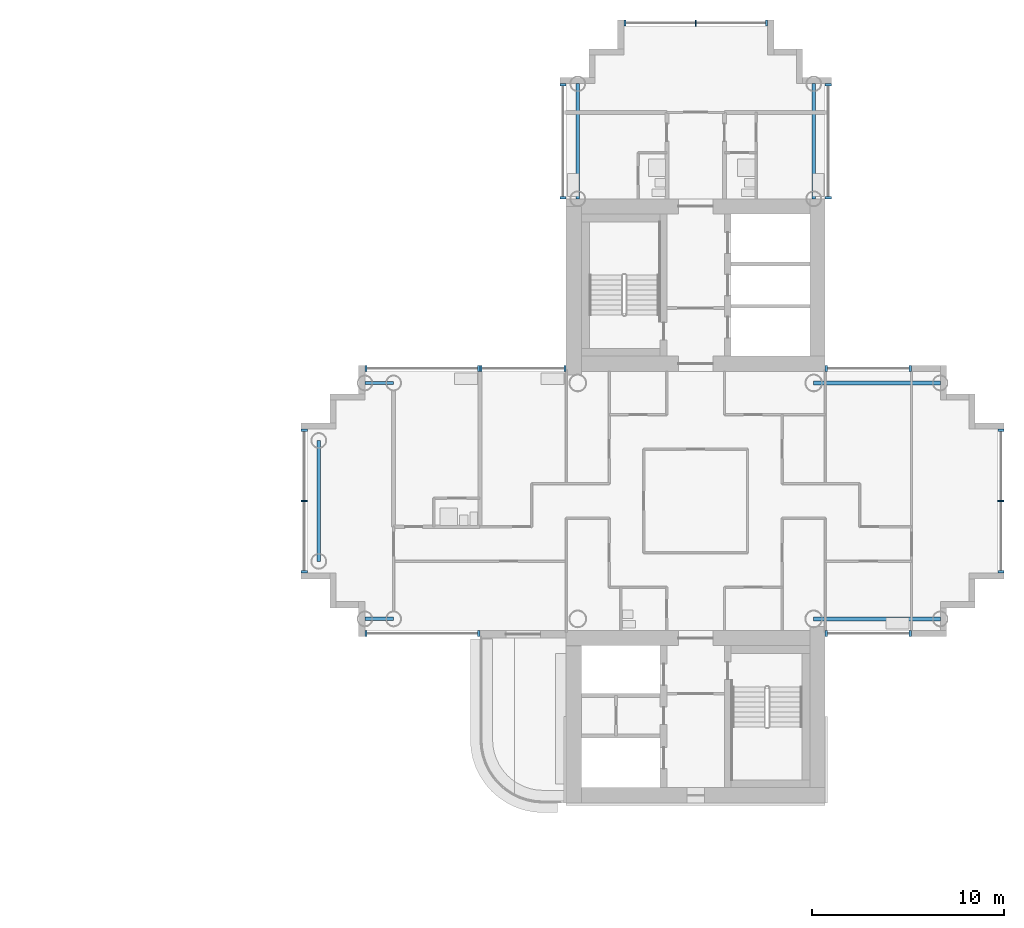
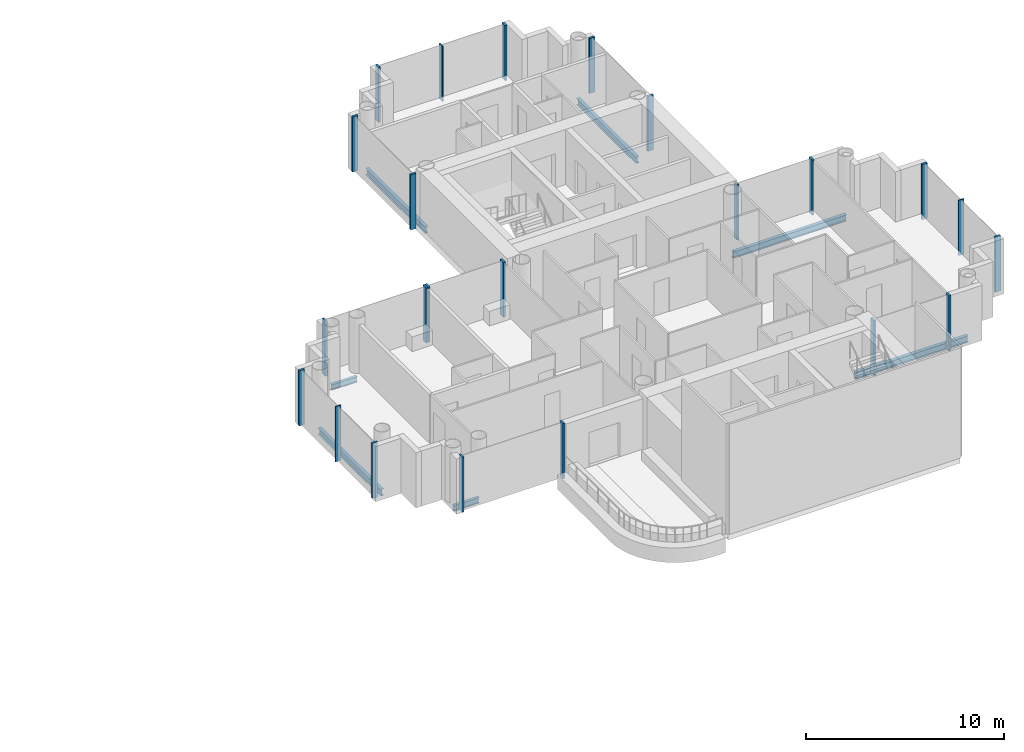
# One storey, part 4 of 19: 23 members, 7 beams, 10 elements without a shape of their own.
"""IFC4 building model written with IfcOpenShell, lengths in metres."""

from ifc_helpers import new_model, si_unit, direction, frame, origin, origin_2d, place, context, subcontext, project, spatial, rectangle, i_section, extrude, material, layer, layer_set, material_profile, profile_set, type_object, element, aggregate, save


model = new_model("IFC4")

# Units and contexts
model_context = context("Model", 3, precision=1e-05, world=origin(), true_north=direction((0.0, 1.0)))
body_context = subcontext(model_context, "Body", "Model", "MODEL_VIEW")
ifc_project = project(units=[si_unit("LENGTHUNIT", "METRE"), si_unit("AREAUNIT", "SQUARE_METRE"), si_unit("VOLUMEUNIT", "CUBIC_METRE"), si_unit("PLANEANGLEUNIT", "RADIAN"), si_unit("MASSUNIT", "GRAM", prefix="KILO")], contexts=[model_context])

# Site, building, storey
site_placement = place(None, origin())
site = spatial("IfcSite", under=ifc_project, at=site_placement, CompositionType="ELEMENT")
building_placement = place(site_placement, origin())
building = spatial("IfcBuilding", under=site, at=building_placement, Name="Ipe Terrace Towers", CompositionType="ELEMENT")
storey_placement = place(building_placement, frame((0.0, 0.0, 174.5)))
storey = spatial("IfcBuildingStorey", under=building, at=storey_placement, Name="L48", CompositionType="ELEMENT", Elevation=174.5)

# Beams
ifc_material_1 = material(Name="Steel S355", Category="steel")
ifc_material_profile_1 = material_profile(ifc_material_1, i_section(OverallWidth=0.175048828125, OverallDepth=0.35009765625, WebThickness=0.007080078125, FlangeThickness=0.010986328125, at=origin_2d()), Name="H-350x175x7x11")
ifc_profile_set_1 = profile_set([ifc_material_profile_1], Name="Steel S355")
beam_type_1 = type_object("IfcBeamType", Name="H04 EDGE BEAM H-350x175x7x11", PredefinedType="BEAM", material=ifc_profile_set_1)
for number, where, z_axis, x_axis, name in (
    (1, (20.25, 6.14990234375, -0.574951171875), (-1.0, 0.0, 0.0), (0.0, -1.0, 0.0), "Edge beam T2-EB-B03-B05"),
    (2, (20.25, -6.14990234375, -0.574951171875), (-1.0, 0.0, 0.0), (0.0, -1.0, 0.0), "Edge beam T2-EB-B04-B06"),
):
    element("IfcBeam", number, at=place(storey_placement, frame(where, z_axis=z_axis, x_axis=x_axis)), inside=storey, type_object=beam_type_1, Name=name, PredefinedType="BEAM", context=body_context, shape_type="SweptSolid", body=[
        extrude(i_section(OverallWidth=0.175048828125, OverallDepth=0.35009765625, WebThickness=0.007080078125, FlangeThickness=0.010986328125, at=origin_2d()), origin(), (0.0, 0.0, 1.0), 1.5),
    ])
ifc_material_2 = material(Name="Steel S355", Category="steel")
ifc_material_profile_2 = material_profile(ifc_material_2, i_section(OverallWidth=0.199951171875, OverallDepth=0.39990234375, WebThickness=0.008056640625, FlangeThickness=0.012939453125, at=origin_2d()), Name="H-400x200x8x13")
ifc_profile_set_2 = profile_set([ifc_material_profile_2], Name="Steel S355")
beam_type_2 = type_object("IfcBeamType", Name="H06 EDGE BEAM H-400x200x8x13", PredefinedType="BEAM", material=ifc_profile_set_2)
for number, where, z_axis, x_axis, name in (
    (3, (42.14990234375, 15.75, -0.60009765625), (0.0, 1.0, 0.0), (-1.0, 0.0, 0.0), "Edge beam T2-EB-A01-A03"),
    (4, (29.85009765625, 15.75, -0.60009765625), (0.0, 1.0, 0.0), (-1.0, 0.0, 0.0), "Edge beam T2-EB-A02-A04"),
):
    element("IfcBeam", number, at=place(storey_placement, frame(where, z_axis=z_axis, x_axis=x_axis)), inside=storey, type_object=beam_type_2, Name=name, PredefinedType="BEAM", context=body_context, shape_type="SweptSolid", body=[
        extrude(i_section(OverallWidth=0.199951171875, OverallDepth=0.39990234375, WebThickness=0.008056640625, FlangeThickness=0.012939453125, at=origin_2d()), origin(), (0.0, 0.0, 1.0), 6.0),
    ])
beam_placement = place(storey_placement, frame((16.35009765625, 3.14990234375, -0.60009765625), z_axis=(0.0, -1.0, 0.0), x_axis=(1.0, 0.0, 0.0)))
element("IfcBeam", 5, at=beam_placement, inside=storey, type_object=beam_type_2, Name="Edge beam T2-EB-B07-B08", PredefinedType="BEAM", context=body_context, shape_type="SweptSolid", body=[
    extrude(i_section(OverallWidth=0.199951171875, OverallDepth=0.39990234375, WebThickness=0.008056640625, FlangeThickness=0.012939453125, at=origin_2d()), origin(), (0.0, 0.0, 1.0), 6.2998046875),
])
for number, where, z_axis, x_axis, name in (
    (6, (48.75, -6.14990234375, -0.60009765625), (-1.0, 0.0, 0.0), (0.0, -1.0, 0.0), "Edge beam T2-EB-D01-E01"),
    (7, (48.75, 6.14990234375, -0.60009765625), (-1.0, 0.0, 0.0), (0.0, -1.0, 0.0), "Edge beam T2-EB-D02-E02"),
):
    element("IfcBeam", number, at=place(storey_placement, frame(where, z_axis=z_axis, x_axis=x_axis)), inside=storey, type_object=beam_type_2, Name=name, PredefinedType="BEAM", context=body_context, shape_type="SweptSolid", body=[
        extrude(i_section(OverallWidth=0.199951171875, OverallDepth=0.39990234375, WebThickness=0.008056640625, FlangeThickness=0.012939453125, at=origin_2d()), origin(), (0.0, 0.0, 1.0), 6.60009765625),
    ])

# Curtain wall, members
ifc_material_3 = material(Name="Aluminium alloy 6063-T6", Category="aluminium")
ifc_layer = layer(ifc_material_3, 0.320068359375)
ifc_layer_set = layer_set([ifc_layer], Name="TOWER UNITISED CURTAIN WALL")
curtain_wall_type = type_object("IfcCurtainWallType", Name="TOWER UNITISED CURTAIN WALL", PredefinedType="NOTDEFINED", material=ifc_layer_set)
curtain_wall_1_placement = place(storey_placement, origin())
curtain_wall_1 = element("IfcCurtainWall", 8, at=curtain_wall_1_placement, inside=storey, type_object=curtain_wall_type, Name="T2-CW-L48-02a curtain wall", PredefinedType="NOTDEFINED")
ifc_material_4 = material(Name="Aluminium alloy 6063-T6", Category="aluminium")
ifc_material_profile_3 = material_profile(ifc_material_4, rectangle(XDim=0.320068359375, YDim=0.1201171875, at=origin_2d()), Name="TOWER UNITISED CORNER MULLION 320 x 120")
ifc_profile_set_3 = profile_set([ifc_material_profile_3], Name="Aluminium alloy 6063-T6")
member_type_1 = type_object("IfcMemberType", Name="TOWER UNITISED CORNER MULLION 320 x 120", PredefinedType="MULLION", material=ifc_profile_set_3)
member_1_placement = place(storey_placement, frame((42.81005859375, -6.909912109375, -0.300048828125), z_axis=(0.0, 0.0, 1.0), x_axis=(0.0, -1.0, 0.0)))
member_1 = element("IfcMember", 9, at=member_1_placement, type_object=member_type_1, Name="T2-CW-L48-02a mullion 1", PredefinedType="MULLION", context=body_context, shape_type="SweptSolid", body=[
    extrude(rectangle(XDim=0.320068359375, YDim=0.1201171875, at=origin_2d()), origin(), (0.0, 0.0, 1.0), 3.400146484375),
])
member_2_placement = place(storey_placement, frame((47.18994140625, -6.909912109375, -0.300048828125), z_axis=(0.0, 0.0, 1.0), x_axis=(0.0, -1.0, 0.0)))
member_2 = element("IfcMember", 10, at=member_2_placement, type_object=member_type_1, Name="T2-CW-L48-02a mullion 2", PredefinedType="MULLION", context=body_context, shape_type="SweptSolid", body=[
    extrude(rectangle(XDim=0.320068359375, YDim=0.1201171875, at=origin_2d()), origin(), (0.0, 0.0, 1.0), 3.400146484375),
])
aggregate(curtain_wall_1, [member_1, member_2])

curtain_wall_2_placement = place(storey_placement, origin())
curtain_wall_2 = element("IfcCurtainWall", 11, at=curtain_wall_2_placement, inside=storey, type_object=curtain_wall_type, Name="T2-CW-L48-08a curtain wall", PredefinedType="NOTDEFINED")
member_3_placement = place(storey_placement, frame((51.909912109375, -3.68994140625, -0.300048828125), z_axis=(0.0, 0.0, 1.0), x_axis=(1.0, 0.0, 0.0)))
member_3 = element("IfcMember", 12, at=member_3_placement, type_object=member_type_1, Name="T2-CW-L48-08a mullion 1", PredefinedType="MULLION", context=body_context, shape_type="SweptSolid", body=[
    extrude(rectangle(XDim=0.320068359375, YDim=0.1201171875, at=origin_2d()), origin(), (0.0, 0.0, 1.0), 3.400146484375),
])
member_4_placement = place(storey_placement, frame((51.909912109375, 3.68994140625, -0.300048828125), z_axis=(0.0, 0.0, 1.0), x_axis=(1.0, 0.0, 0.0)))
member_4 = element("IfcMember", 13, at=member_4_placement, type_object=member_type_1, Name="T2-CW-L48-08a mullion 3", PredefinedType="MULLION", context=body_context, shape_type="SweptSolid", body=[
    extrude(rectangle(XDim=0.320068359375, YDim=0.1201171875, at=origin_2d()), origin(), (0.0, 0.0, 1.0), 3.400146484375),
])

curtain_wall_3_placement = place(storey_placement, origin())
curtain_wall_3 = element("IfcCurtainWall", 14, at=curtain_wall_3_placement, inside=storey, type_object=curtain_wall_type, Name="T2-CW-L48-14a curtain wall", PredefinedType="NOTDEFINED")
member_5_placement = place(storey_placement, frame((47.18994140625, 6.909912109375, -0.300048828125), z_axis=(0.0, 0.0, 1.0), x_axis=(0.0, 1.0, 0.0)))
member_5 = element("IfcMember", 15, at=member_5_placement, type_object=member_type_1, Name="T2-CW-L48-14a mullion 1", PredefinedType="MULLION", context=body_context, shape_type="SweptSolid", body=[
    extrude(rectangle(XDim=0.320068359375, YDim=0.1201171875, at=origin_2d()), origin(), (0.0, 0.0, 1.0), 3.400146484375),
])
member_6_placement = place(storey_placement, frame((42.81005859375, 6.909912109375, -0.300048828125), z_axis=(0.0, 0.0, 1.0), x_axis=(0.0, 1.0, 0.0)))
member_6 = element("IfcMember", 16, at=member_6_placement, type_object=member_type_1, Name="T2-CW-L48-14a mullion 2", PredefinedType="MULLION", context=body_context, shape_type="SweptSolid", body=[
    extrude(rectangle(XDim=0.320068359375, YDim=0.1201171875, at=origin_2d()), origin(), (0.0, 0.0, 1.0), 3.400146484375),
])
aggregate(curtain_wall_3, [member_5, member_6])

curtain_wall_4_placement = place(storey_placement, origin())
curtain_wall_4 = element("IfcCurtainWall", 17, at=curtain_wall_4_placement, inside=storey, type_object=curtain_wall_type, Name="T2-CW-L48-16b curtain wall", PredefinedType="NOTDEFINED")
member_7_placement = place(storey_placement, frame((42.909912109375, 15.81103515625, -0.300048828125), z_axis=(0.0, 0.0, 1.0), x_axis=(1.0, 0.0, 0.0)))
member_7 = element("IfcMember", 18, at=member_7_placement, type_object=member_type_1, Name="T2-CW-L48-16b mullion 1", PredefinedType="MULLION", context=body_context, shape_type="SweptSolid", body=[
    extrude(rectangle(XDim=0.320068359375, YDim=0.1201171875, at=origin_2d()), origin(), (0.0, 0.0, 1.0), 3.400146484375),
])
member_8_placement = place(storey_placement, frame((42.909912109375, 21.68994140625, -0.300048828125), z_axis=(0.0, 0.0, 1.0), x_axis=(1.0, 0.0, 0.0)))
member_8 = element("IfcMember", 19, at=member_8_placement, type_object=member_type_1, Name="T2-CW-L48-16b mullion 2", PredefinedType="MULLION", context=body_context, shape_type="SweptSolid", body=[
    extrude(rectangle(XDim=0.320068359375, YDim=0.1201171875, at=origin_2d()), origin(), (0.0, 0.0, 1.0), 3.400146484375),
])
aggregate(curtain_wall_4, [member_7, member_8])

curtain_wall_5_placement = place(storey_placement, origin())
curtain_wall_5 = element("IfcCurtainWall", 20, at=curtain_wall_5_placement, inside=storey, type_object=curtain_wall_type, Name="T2-CW-L48-21a curtain wall", PredefinedType="NOTDEFINED")
member_9_placement = place(storey_placement, frame((39.68994140625, 24.909912109375, -0.300048828125), z_axis=(0.0, 0.0, 1.0), x_axis=(0.0, 1.0, 0.0)))
member_9 = element("IfcMember", 21, at=member_9_placement, type_object=member_type_1, Name="T2-CW-L48-21a mullion 1", PredefinedType="MULLION", context=body_context, shape_type="SweptSolid", body=[
    extrude(rectangle(XDim=0.320068359375, YDim=0.1201171875, at=origin_2d()), origin(), (0.0, 0.0, 1.0), 3.400146484375),
])
member_10_placement = place(storey_placement, frame((32.31005859375, 24.909912109375, -0.300048828125), z_axis=(0.0, 0.0, 1.0), x_axis=(0.0, 1.0, 0.0)))
member_10 = element("IfcMember", 22, at=member_10_placement, type_object=member_type_1, Name="T2-CW-L48-21a mullion 3", PredefinedType="MULLION", context=body_context, shape_type="SweptSolid", body=[
    extrude(rectangle(XDim=0.320068359375, YDim=0.1201171875, at=origin_2d()), origin(), (0.0, 0.0, 1.0), 3.400146484375),
])

curtain_wall_6_placement = place(storey_placement, origin())
curtain_wall_6 = element("IfcCurtainWall", 23, at=curtain_wall_6_placement, inside=storey, type_object=curtain_wall_type, Name="T2-CW-L48-26a curtain wall", PredefinedType="NOTDEFINED")
member_11_placement = place(storey_placement, frame((29.090087890625, 21.68994140625, -0.300048828125), z_axis=(0.0, 0.0, 1.0), x_axis=(-1.0, 0.0, 0.0)))
member_11 = element("IfcMember", 24, at=member_11_placement, type_object=member_type_1, Name="T2-CW-L48-26a mullion 1", PredefinedType="MULLION", context=body_context, shape_type="SweptSolid", body=[
    extrude(rectangle(XDim=0.320068359375, YDim=0.1201171875, at=origin_2d()), origin(), (0.0, 0.0, 1.0), 3.400146484375),
])
member_12_placement = place(storey_placement, frame((29.090087890625, 15.81103515625, -0.300048828125), z_axis=(0.0, 0.0, 1.0), x_axis=(-1.0, 0.0, 0.0)))
member_12 = element("IfcMember", 25, at=member_12_placement, type_object=member_type_1, Name="T2-CW-L48-26a mullion 2", PredefinedType="MULLION", context=body_context, shape_type="SweptSolid", body=[
    extrude(rectangle(XDim=0.320068359375, YDim=0.1201171875, at=origin_2d()), origin(), (0.0, 0.0, 1.0), 3.400146484375),
])
aggregate(curtain_wall_6, [member_11, member_12])

curtain_wall_7_placement = place(storey_placement, origin())
curtain_wall_7 = element("IfcCurtainWall", 26, at=curtain_wall_7_placement, inside=storey, type_object=curtain_wall_type, Name="T2-CW-L48-28a curtain wall", PredefinedType="NOTDEFINED")
member_13_placement = place(storey_placement, frame((29.18994140625, 6.909912109375, -0.300048828125), z_axis=(0.0, 0.0, 1.0), x_axis=(0.0, 1.0, 0.0)))
member_13 = element("IfcMember", 27, at=member_13_placement, type_object=member_type_1, Name="T2-CW-L48-28a mullion 1", PredefinedType="MULLION", context=body_context, shape_type="SweptSolid", body=[
    extrude(rectangle(XDim=0.320068359375, YDim=0.1201171875, at=origin_2d()), origin(), (0.0, 0.0, 1.0), 3.400146484375),
])
member_14_placement = place(storey_placement, frame((24.81005859375, 6.909912109375, -0.300048828125), z_axis=(0.0, 0.0, 1.0), x_axis=(0.0, 1.0, 0.0)))
member_14 = element("IfcMember", 28, at=member_14_placement, type_object=member_type_1, Name="T2-CW-L48-28a mullion 2", PredefinedType="MULLION", context=body_context, shape_type="SweptSolid", body=[
    extrude(rectangle(XDim=0.320068359375, YDim=0.1201171875, at=origin_2d()), origin(), (0.0, 0.0, 1.0), 3.400146484375),
])
aggregate(curtain_wall_7, [member_13, member_14])

curtain_wall_8_placement = place(storey_placement, origin())
curtain_wall_8 = element("IfcCurtainWall", 29, at=curtain_wall_8_placement, inside=storey, type_object=curtain_wall_type, Name="T2-CW-L48-29a curtain wall", PredefinedType="NOTDEFINED")
member_15_placement = place(storey_placement, frame((24.68994140625, 6.909912109375, -0.300048828125), z_axis=(0.0, 0.0, 1.0), x_axis=(0.0, 1.0, 0.0)))
member_15 = element("IfcMember", 30, at=member_15_placement, type_object=member_type_1, Name="T2-CW-L48-29a mullion 1", PredefinedType="MULLION", context=body_context, shape_type="SweptSolid", body=[
    extrude(rectangle(XDim=0.320068359375, YDim=0.1201171875, at=origin_2d()), origin(), (0.0, 0.0, 1.0), 3.400146484375),
])
member_16_placement = place(storey_placement, frame((18.81005859375, 6.909912109375, -0.300048828125), z_axis=(0.0, 0.0, 1.0), x_axis=(0.0, 1.0, 0.0)))
member_16 = element("IfcMember", 31, at=member_16_placement, type_object=member_type_1, Name="T2-CW-L48-29a mullion 2", PredefinedType="MULLION", context=body_context, shape_type="SweptSolid", body=[
    extrude(rectangle(XDim=0.320068359375, YDim=0.1201171875, at=origin_2d()), origin(), (0.0, 0.0, 1.0), 3.400146484375),
])
aggregate(curtain_wall_8, [member_15, member_16])

curtain_wall_9_placement = place(storey_placement, origin())
curtain_wall_9 = element("IfcCurtainWall", 32, at=curtain_wall_9_placement, inside=storey, type_object=curtain_wall_type, Name="T2-CW-L48-34a curtain wall", PredefinedType="NOTDEFINED")
member_17_placement = place(storey_placement, frame((15.590087890625, 3.68994140625, -0.300048828125), z_axis=(0.0, 0.0, 1.0), x_axis=(-1.0, 0.0, 0.0)))
member_17 = element("IfcMember", 33, at=member_17_placement, type_object=member_type_1, Name="T2-CW-L48-34a mullion 1", PredefinedType="MULLION", context=body_context, shape_type="SweptSolid", body=[
    extrude(rectangle(XDim=0.320068359375, YDim=0.1201171875, at=origin_2d()), origin(), (0.0, 0.0, 1.0), 3.400146484375),
])
member_18_placement = place(storey_placement, frame((15.590087890625, -3.68994140625, -0.300048828125), z_axis=(0.0, 0.0, 1.0), x_axis=(-1.0, 0.0, 0.0)))
member_18 = element("IfcMember", 34, at=member_18_placement, type_object=member_type_1, Name="T2-CW-L48-34a mullion 3", PredefinedType="MULLION", context=body_context, shape_type="SweptSolid", body=[
    extrude(rectangle(XDim=0.320068359375, YDim=0.1201171875, at=origin_2d()), origin(), (0.0, 0.0, 1.0), 3.400146484375),
])

curtain_wall_10_placement = place(storey_placement, origin())
curtain_wall_10 = element("IfcCurtainWall", 35, at=curtain_wall_10_placement, inside=storey, type_object=curtain_wall_type, Name="T2-CW-L48-39a curtain wall", PredefinedType="NOTDEFINED")
member_19_placement = place(storey_placement, frame((18.81005859375, -6.909912109375, -0.300048828125), z_axis=(0.0, 0.0, 1.0), x_axis=(0.0, -1.0, 0.0)))
member_19 = element("IfcMember", 36, at=member_19_placement, type_object=member_type_1, Name="T2-CW-L48-39a mullion 1", PredefinedType="MULLION", context=body_context, shape_type="SweptSolid", body=[
    extrude(rectangle(XDim=0.320068359375, YDim=0.1201171875, at=origin_2d()), origin(), (0.0, 0.0, 1.0), 3.400146484375),
])
member_20_placement = place(storey_placement, frame((24.68994140625, -6.909912109375, -0.300048828125), z_axis=(0.0, 0.0, 1.0), x_axis=(0.0, -1.0, 0.0)))
member_20 = element("IfcMember", 37, at=member_20_placement, type_object=member_type_1, Name="T2-CW-L48-39a mullion 2", PredefinedType="MULLION", context=body_context, shape_type="SweptSolid", body=[
    extrude(rectangle(XDim=0.320068359375, YDim=0.1201171875, at=origin_2d()), origin(), (0.0, 0.0, 1.0), 3.400146484375),
])
aggregate(curtain_wall_10, [member_19, member_20])

# Member
ifc_material_5 = material(Name="Aluminium alloy 6063-T6", Category="aluminium")
ifc_material_profile_4 = material_profile(ifc_material_5, rectangle(XDim=0.320068359375, YDim=0.06494140625, at=origin_2d()), Name="TOWER UNITISED MULLION 320 x 65")
ifc_profile_set_4 = profile_set([ifc_material_profile_4], Name="Aluminium alloy 6063-T6")
member_type_2 = type_object("IfcMemberType", Name="TOWER UNITISED MULLION 320 x 65", PredefinedType="MULLION", material=ifc_profile_set_4)
member_21_placement = place(storey_placement, frame((51.909912109375, 0.0, -0.300048828125), z_axis=(0.0, 0.0, 1.0), x_axis=(1.0, 0.0, 0.0)))
member_21 = element("IfcMember", 38, at=member_21_placement, type_object=member_type_2, Name="T2-CW-L48-08a mullion 2", PredefinedType="MULLION", context=body_context, shape_type="SweptSolid", body=[
    extrude(rectangle(XDim=0.320068359375, YDim=0.06494140625, at=origin_2d()), origin(), (0.0, 0.0, 1.0), 3.400146484375),
])

aggregate(curtain_wall_2, [member_3, member_21, member_4])

member_22_placement = place(storey_placement, frame((36.0, 24.909912109375, -0.300048828125), z_axis=(0.0, 0.0, 1.0), x_axis=(0.0, 1.0, 0.0)))
member_22 = element("IfcMember", 39, at=member_22_placement, type_object=member_type_2, Name="T2-CW-L48-21a mullion 2", PredefinedType="MULLION", context=body_context, shape_type="SweptSolid", body=[
    extrude(rectangle(XDim=0.320068359375, YDim=0.06494140625, at=origin_2d()), origin(), (0.0, 0.0, 1.0), 3.400146484375),
])

aggregate(curtain_wall_5, [member_9, member_22, member_10])

member_23_placement = place(storey_placement, frame((15.590087890625, 0.0, -0.300048828125), z_axis=(0.0, 0.0, 1.0), x_axis=(-1.0, 0.0, 0.0)))
member_23 = element("IfcMember", 40, at=member_23_placement, type_object=member_type_2, Name="T2-CW-L48-34a mullion 2", PredefinedType="MULLION", context=body_context, shape_type="SweptSolid", body=[
    extrude(rectangle(XDim=0.320068359375, YDim=0.06494140625, at=origin_2d()), origin(), (0.0, 0.0, 1.0), 3.400146484375),
])

aggregate(curtain_wall_9, [member_17, member_23, member_18])

save(model, "model.ifc")
